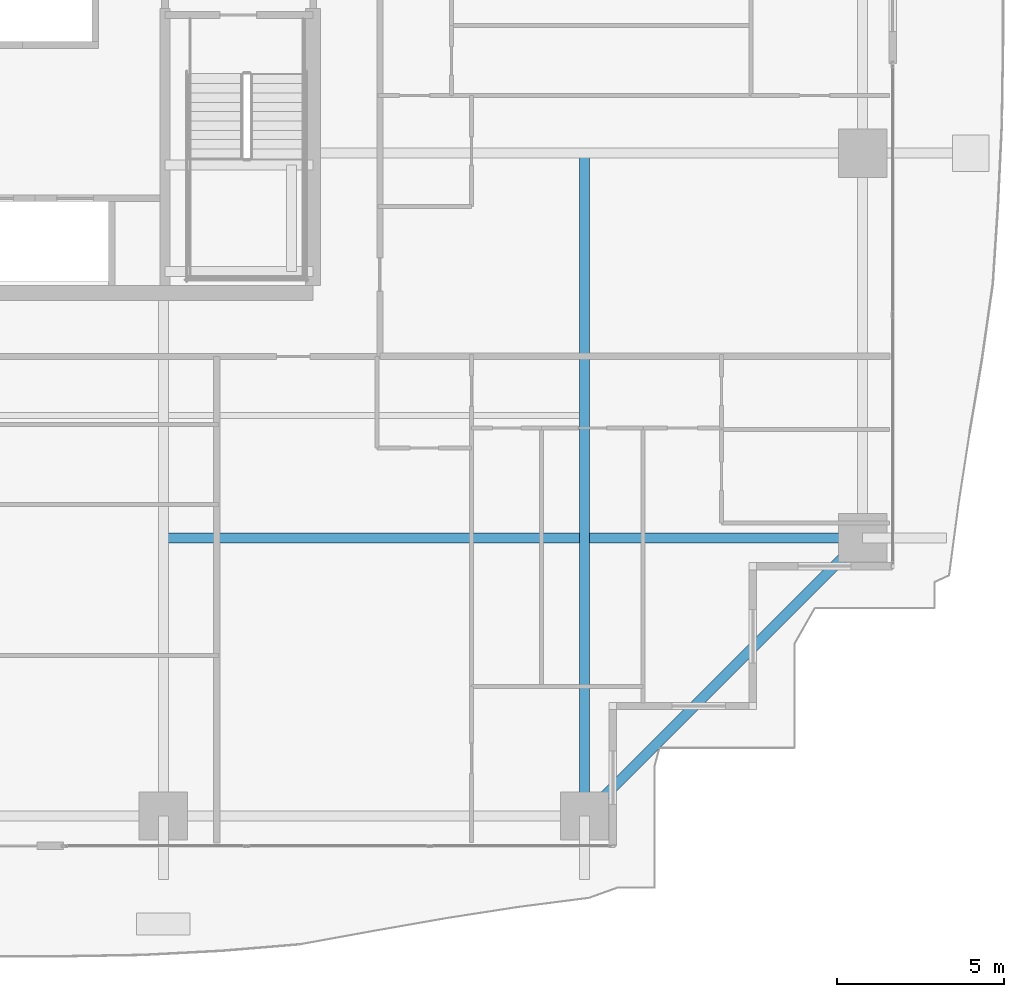
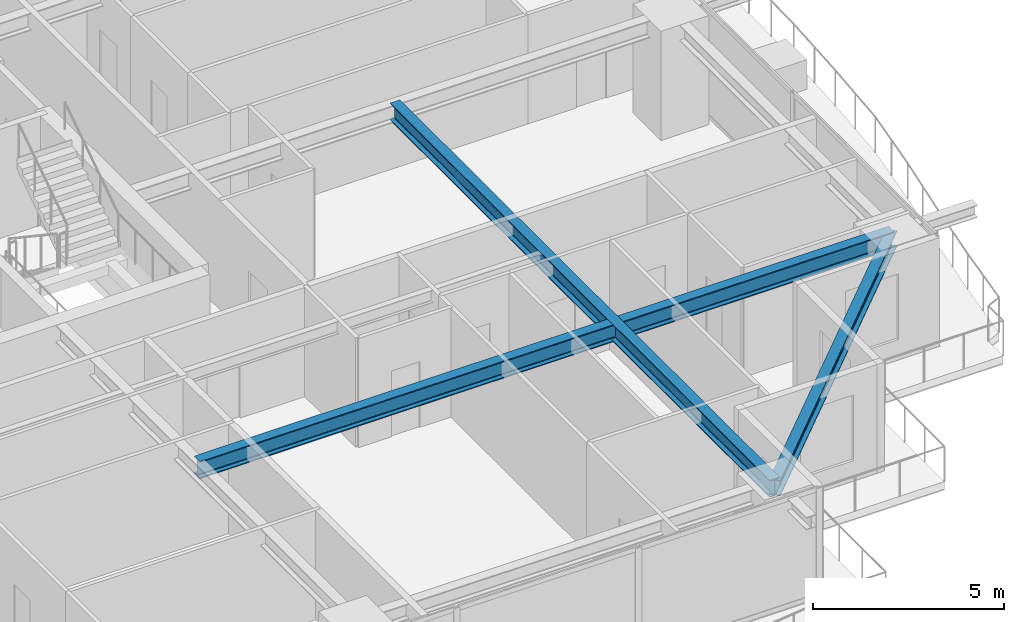
# One storey, part 12 of 39: 3 beams.
"""IFC4 building model written with IfcOpenShell, lengths in metres."""

from ifc_helpers import new_model, si_unit, direction, frame, origin, origin_2d, place, context, subcontext, project, spatial, i_section, extrude, source, transform, mapped, material, material_profile, profile_set, type_object, element, save


model = new_model("IFC4")

# Units and contexts
model_context = context("Model", 3, precision=1e-05, world=origin(), true_north=direction((0.0, 1.0)))
body_context = subcontext(model_context, "Body", "Model", "MODEL_VIEW")
ifc_project = project(units=[si_unit("LENGTHUNIT", "METRE"), si_unit("AREAUNIT", "SQUARE_METRE"), si_unit("VOLUMEUNIT", "CUBIC_METRE"), si_unit("PLANEANGLEUNIT", "RADIAN"), si_unit("MASSUNIT", "GRAM", prefix="KILO")], contexts=[model_context])

# Site, building, storey
site_placement = place(None, origin())
site = spatial("IfcSite", under=ifc_project, at=site_placement, CompositionType="ELEMENT")
building_placement = place(site_placement, origin())
building = spatial("IfcBuilding", under=site, at=building_placement, Name="Serunith Strait Residences", CompositionType="ELEMENT")
storey_placement = place(building_placement, frame((0.0, 0.0, 64.199951171875)))
storey = spatial("IfcBuildingStorey", under=building, at=storey_placement, Name="L15", CompositionType="ELEMENT", Elevation=64.199951171875)

# Beams
ifc_material = material(Name="Steel S355J2", Category="steel")
ifc_material_profile_1 = material_profile(ifc_material, i_section(OverallWidth=0.300048828125, OverallDepth=0.550048828125, WebThickness=0.014892578125, FlangeThickness=0.029052734375, FilletRadius=0.027099609375, at=origin_2d()), Name="HEB 550")
ifc_profile_set_1 = profile_set([ifc_material_profile_1], Name="Steel S355J2")
beam_type_1 = type_object("IfcBeamType", Name="BM-HEB550", PredefinedType="BEAM", material=ifc_profile_set_1)
shared_shape_1 = source(origin(), body_context, "Body", "SweptSolid", [
    extrude(i_section(OverallWidth=0.300048828125, OverallDepth=0.550048828125, WebThickness=0.014892578125, FlangeThickness=0.029052734375, FilletRadius=0.027099609375, at=origin_2d()), origin(), (0.0, 0.0, 1.0), 19.89990234375),
])
beam_1_placement = place(storey_placement, frame((49.550048828125, 21.0, 3.212158203125), z_axis=(0.0, -1.0, 0.0), x_axis=(1.0, 0.0, 0.0)))
element("IfcBeam", 1, at=beam_1_placement, inside=storey, type_object=beam_type_1, Name="L15 Orthogonal Corner Girder TC-S4", PredefinedType="BEAM", context=body_context, shape_type="MappedRepresentation", body=[
    mapped(shared_shape_1, transform((0.0, 0.0, 0.0), scale=1.0)),
])
shared_shape_2 = source(origin(), body_context, "Body", "SweptSolid", [
    extrude(i_section(OverallWidth=0.300048828125, OverallDepth=0.550048828125, WebThickness=0.014892578125, FlangeThickness=0.029052734375, FilletRadius=0.027099609375, at=origin_2d()), origin(), (0.0, 0.0, 1.0), 21.0),
])
beam_2_placement = place(storey_placement, frame((36.89990234375, 9.449951171875, 3.212158203125), z_axis=(1.0, 0.0, 0.0), x_axis=(0.0, 1.0, 0.0)))
element("IfcBeam", 2, at=beam_2_placement, inside=storey, type_object=beam_type_1, Name="L15 Orthogonal Corner Girder TC-E1", PredefinedType="BEAM", context=body_context, shape_type="MappedRepresentation", body=[
    mapped(shared_shape_2, transform((0.0, 0.0, 0.0), scale=1.0)),
])
ifc_material_profile_2 = material_profile(ifc_material, i_section(OverallWidth=0.300048828125, OverallDepth=0.5, WebThickness=0.014404296875, FlangeThickness=0.028076171875, FilletRadius=0.027099609375, at=origin_2d()), Name="HEB 500")
ifc_profile_set_2 = profile_set([ifc_material_profile_2], Name="Steel S355J2")
beam_type_2 = type_object("IfcBeamType", Name="BM-HEB500", PredefinedType="BEAM", material=ifc_profile_set_2)
shared_shape_3 = source(origin(), body_context, "Body", "SweptSolid", [
    extrude(i_section(OverallWidth=0.300048828125, OverallDepth=0.5, WebThickness=0.014404296875, FlangeThickness=0.028076171875, FilletRadius=0.027099609375, at=origin_2d()), origin(), (0.0, 0.0, 1.0), 11.80859375),
])
beam_3_placement = place(storey_placement, frame((49.550048828125, 1.10009765625, 3.20703125), z_axis=(0.707106781187, 0.707106781187, 0.0), x_axis=(-0.707106781187, 0.707106781187, 0.0)))
element("IfcBeam", 3, at=beam_3_placement, inside=storey, type_object=beam_type_2, Name="L15 Perimeter Ring Beam 04", PredefinedType="BEAM", context=body_context, shape_type="MappedRepresentation", body=[
    mapped(shared_shape_3, transform((0.0, 0.0, 0.0), scale=1.0)),
])

save(model, "model.ifc")
